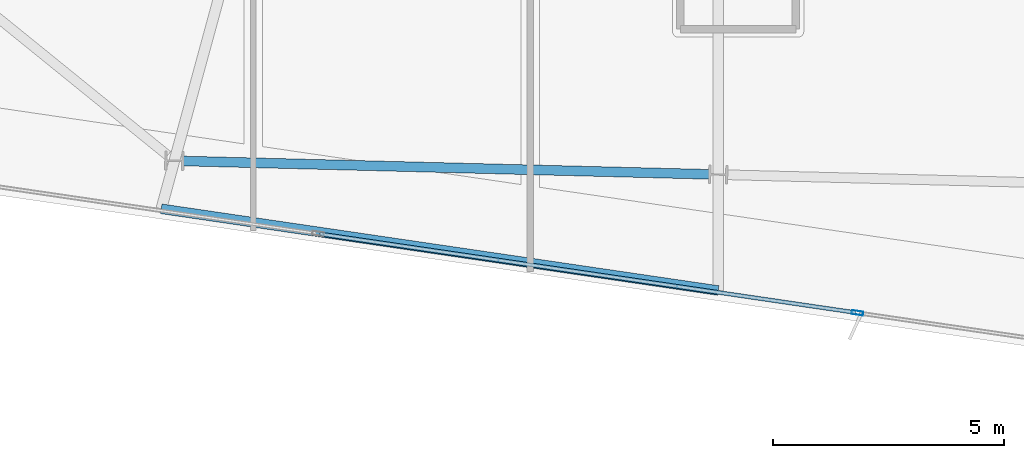
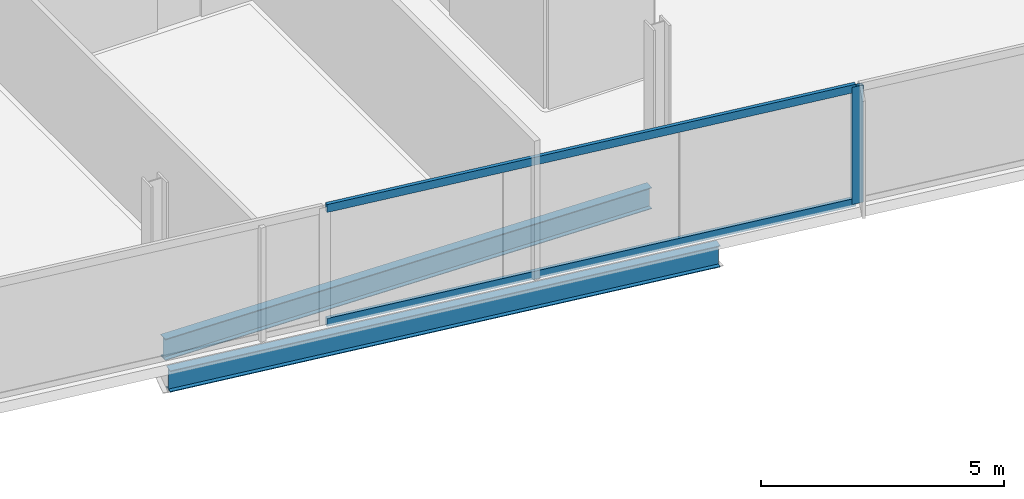
# One storey, part 3 of 22: 3 members, 2 beams, 1 element without a shape of its own.
"""IFC4 building model written with IfcOpenShell, lengths in metres."""

from ifc_helpers import new_model, si_unit, direction, frame, origin, origin_2d, place, context, subcontext, project, spatial, hollow_rectangle, i_section, extrude, material, material_profile, profile_set, type_object, element, aggregate, save


model = new_model("IFC4")

# Units and contexts
model_context = context("Model", 3, precision=1e-05, world=origin(), true_north=direction((0.0, 1.0)))
body_context = subcontext(model_context, "Body", "Model", "MODEL_VIEW")
ifc_project = project(units=[si_unit("LENGTHUNIT", "METRE"), si_unit("AREAUNIT", "SQUARE_METRE"), si_unit("VOLUMEUNIT", "CUBIC_METRE"), si_unit("PLANEANGLEUNIT", "RADIAN"), si_unit("MASSUNIT", "GRAM", prefix="KILO")], contexts=[model_context])

# Site, building, storey
site_placement = place(None, origin())
site = spatial("IfcSite", under=ifc_project, at=site_placement, CompositionType="ELEMENT")
building_placement = place(site_placement, origin())
building = spatial("IfcBuilding", under=site, at=building_placement, Name="Haldenkirk Collegiate Tower", CompositionType="ELEMENT")
storey_placement = place(building_placement, frame((0.0, 0.0, 302.699951171875)))
storey = spatial("IfcBuildingStorey", under=building, at=storey_placement, Name="L76", CompositionType="ELEMENT", Elevation=302.699951171875)

# Beams
ifc_material_1 = material(Name="Steel ASTM A992 Grade 50", Category="steel")
ifc_material_profile_1 = material_profile(ifc_material_1, i_section(OverallWidth=0.2099609375, OverallDepth=0.537109375, WebThickness=0.010986328125, FlangeThickness=0.017333984375, at=origin_2d()), Name="W21X68")
ifc_profile_set_1 = profile_set([ifc_material_profile_1], Name="Steel ASTM A992 Grade 50")
beam_type = type_object("IfcBeamType", Name="BM-SPANDREL-W21X68", PredefinedType="SPANDREL", material=ifc_profile_set_1)
beam_1_placement = place(storey_placement, frame((23.984375, 6.247802734375, -0.528564453125), z_axis=(0.99967950041, -0.02531593293, 0.0), x_axis=(0.02531593293, 0.99967950041, 0.0)))
element("IfcBeam", 1, at=beam_1_placement, inside=storey, type_object=beam_type, Name="L76 perimeter spandrel beam 14", PredefinedType="SPANDREL", context=body_context, shape_type="SweptSolid", body=[
    extrude(i_section(OverallWidth=0.2099609375, OverallDepth=0.537109375, WebThickness=0.010986328125, FlangeThickness=0.017333984375, at=origin_2d()), origin(), (0.0, 0.0, 1.0), 11.39892578125),
])
beam_2_placement = place(storey_placement, frame((23.512939453125, 5.212890625, -0.528564453125), z_axis=(0.989399986859, -0.145215928888, 0.0), x_axis=(0.145215928888, 0.989399986859, 0.0)))
element("IfcBeam", 2, at=beam_2_placement, inside=storey, type_object=beam_type, Name="L76 outer facade edge beam 4", PredefinedType="SPANDREL", context=body_context, shape_type="SweptSolid", body=[
    extrude(i_section(OverallWidth=0.2099609375, OverallDepth=0.537109375, WebThickness=0.010986328125, FlangeThickness=0.017333984375, at=origin_2d()), origin(), (0.0, 0.0, 1.0), 12.183837890625),
])

# Curtain wall, members
ifc_material_2 = material(Name="Anodised architectural bronze aluminium", Category="aluminium")
curtain_wall_type = type_object("IfcCurtainWallType", Name="CW-SYS1B-CONVEX-HI", PredefinedType="USERDEFINED", material=ifc_material_2)
curtain_wall_placement = place(storey_placement, origin())
curtain_wall = element("IfcCurtainWall", 3, at=curtain_wall_placement, inside=storey, type_object=curtain_wall_type, Name="L76 Upper tower high-wind convex bronze unitised curtain wall", ObjectType="UNITISED CURTAIN WALL", PredefinedType="USERDEFINED")
ifc_material_profile_2 = material_profile(ifc_material_2, hollow_rectangle(XDim=0.0849609375, YDim=0.25, WallThickness=0.0048828125, at=origin_2d()), Name="CW-MUL-1B")
ifc_profile_set_2 = profile_set([ifc_material_profile_2], Name="Anodised architectural bronze aluminium")
member_type_1 = type_object("IfcMemberType", Name="CW-MUL-1B", PredefinedType="MULLION", material=ifc_profile_set_2)
member_1_placement = place(storey_placement, frame((38.58154296875, 2.9609375, 0.0), z_axis=(0.0, 0.0, 1.0), x_axis=(-0.145220487627, -0.989399317755, 0.0)))
member_1 = element("IfcMember", 4, at=member_1_placement, type_object=member_type_1, Name="CW-1B mullion 2", PredefinedType="MULLION", context=body_context, shape_type="SweptSolid", body=[
    extrude(hollow_rectangle(XDim=0.0849609375, YDim=0.25, WallThickness=0.0048828125, at=origin_2d()), origin(), (0.0, 0.0, 1.0), 2.947998046875),
])
ifc_material_profile_3 = material_profile(ifc_material_2, hollow_rectangle(XDim=0.0849609375, YDim=0.199951171875, WallThickness=0.0048828125, at=origin_2d()), Name="CW-TRN-1B")
ifc_profile_set_3 = profile_set([ifc_material_profile_3], Name="Anodised architectural bronze aluminium")
member_type_2 = type_object("IfcMemberType", Name="CW-TRN-1B", PredefinedType="USERDEFINED", material=ifc_profile_set_3)
member_2_placement = place(storey_placement, frame((38.53955078125, 2.967041015625, 0.04248046875), z_axis=(-0.98940038733, 0.145213200331, 0.0), x_axis=(-0.145213200331, -0.98940038733, 0.0)))
member_2 = element("IfcMember", 5, at=member_2_placement, type_object=member_type_2, Name="CW-1B transom 2.1", ObjectType="TRANSOM", PredefinedType="USERDEFINED", context=body_context, shape_type="SweptSolid", body=[
    extrude(hollow_rectangle(XDim=0.0849609375, YDim=0.199951171875, WallThickness=0.0048828125, at=origin_2d()), origin(), (0.0, 0.0, 1.0), 11.715087890625),
])
member_3_placement = place(storey_placement, frame((38.53955078125, 2.967041015625, 2.905517578125), z_axis=(-0.98940038733, 0.145213200331, 0.0), x_axis=(-0.145213200331, -0.98940038733, 0.0)))
member_3 = element("IfcMember", 6, at=member_3_placement, type_object=member_type_2, Name="CW-1B transom 2.2", ObjectType="TRANSOM", PredefinedType="USERDEFINED", context=body_context, shape_type="SweptSolid", body=[
    extrude(hollow_rectangle(XDim=0.0849609375, YDim=0.199951171875, WallThickness=0.0048828125, at=origin_2d()), origin(), (0.0, 0.0, 1.0), 11.715087890625),
])
aggregate(curtain_wall, [member_1, member_2, member_3])

save(model, "model.ifc")
